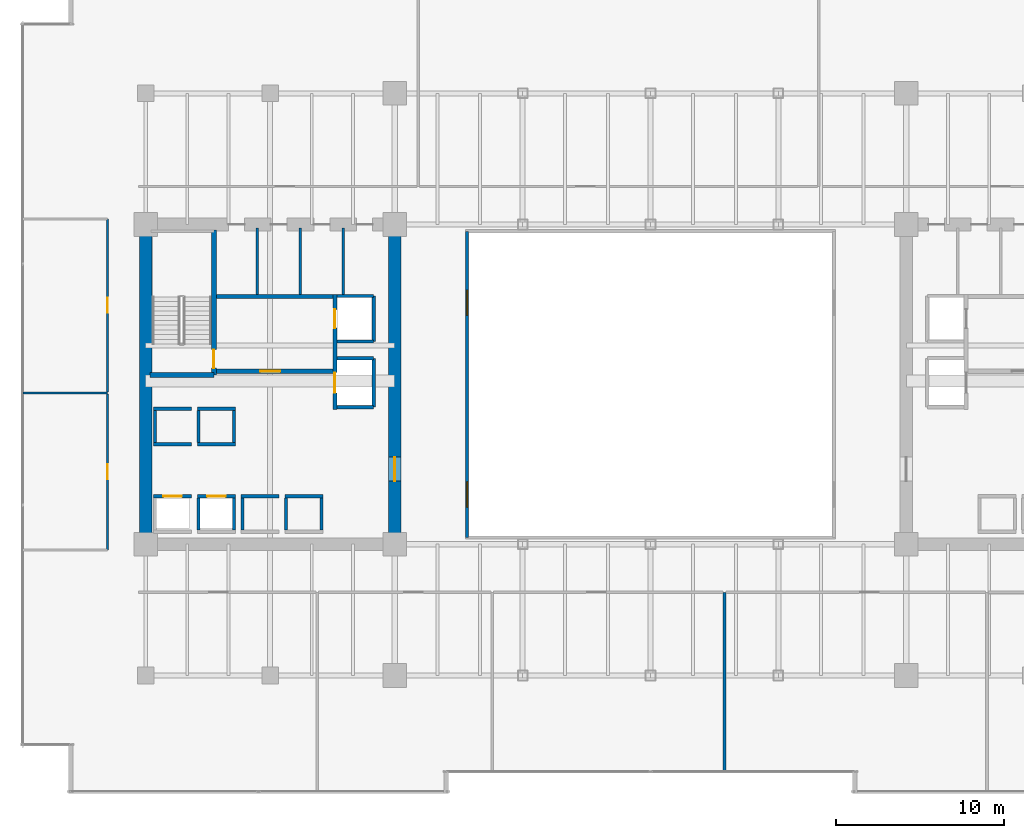
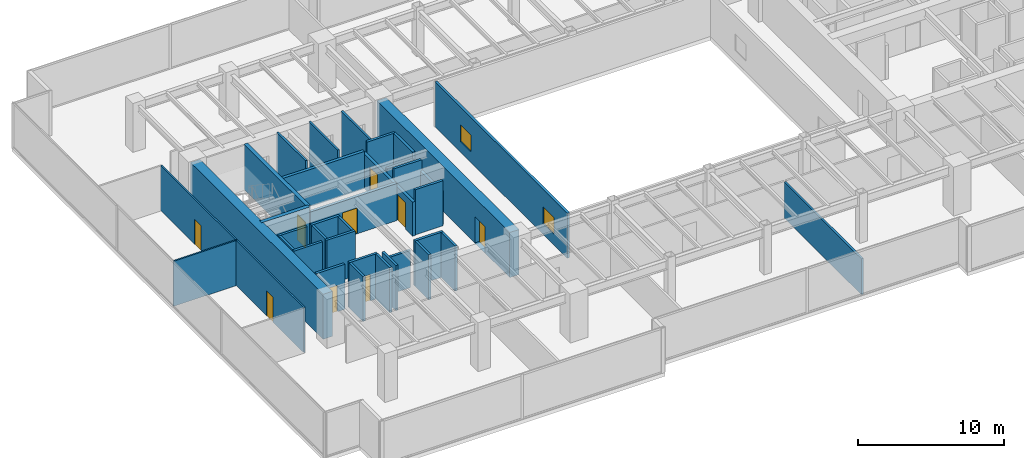
# One storey, part 29 of 35: 37 walls, 9 doors, 2 windows, 11 openings.
"""IFC4 building model written with IfcOpenShell, lengths in metres."""

from ifc_helpers import new_model, si_unit, direction, frame, frame_2d, origin, place, context, subcontext, project, spatial, rectangle, extrude, source, transform, mapped, material, layer, layer_set, type_object, type_shapes, element, fill, save


model = new_model("IFC4")

# Units and contexts
model_context = context("Model", 3, precision=1e-05, world=origin(), true_north=direction((0.0, 1.0)))
body_context = subcontext(model_context, "Body", "Model", "MODEL_VIEW")
ifc_project = project(units=[si_unit("LENGTHUNIT", "METRE"), si_unit("AREAUNIT", "SQUARE_METRE"), si_unit("VOLUMEUNIT", "CUBIC_METRE"), si_unit("PLANEANGLEUNIT", "RADIAN"), si_unit("MASSUNIT", "GRAM", prefix="KILO")], contexts=[model_context])

# Site, building, storey
site_placement = place(None, origin())
site = spatial("IfcSite", under=ifc_project, at=site_placement, CompositionType="ELEMENT")
building_placement = place(site_placement, origin())
building = spatial("IfcBuilding", under=site, at=building_placement, Name="Haelvirn Gate Laboratories", CompositionType="ELEMENT")
storey_placement = place(building_placement, frame((0.0, 0.0, 82.60009765625)))
storey = spatial("IfcBuildingStorey", under=building, at=storey_placement, Name="L20", CompositionType="ELEMENT", Elevation=82.60009765625)

# Wall
ifc_material_1 = material(Name="Double-layer acoustic gypsum laboratory partition", Category="gypsum")
ifc_layer_1 = layer(ifc_material_1, 0.159912109375, Name="IW-ACOUST-160")
ifc_layer_set_1 = layer_set([ifc_layer_1], Name="Double-layer acoustic gypsum laboratory partition")
wall_type_1 = type_object("IfcWallType", Name="IW-ACOUST-160", PredefinedType="PARTITIONING", material=ifc_layer_set_1)
wall_1_placement = place(storey_placement, frame((41.800048828125, 1.31005859375, 0.0), z_axis=(0.0, 0.0, 1.0), x_axis=(0.0, 1.0, 0.0)))
element("IfcWall", 1, at=wall_1_placement, inside=storey, type_object=wall_type_1, Name="L20 Interior Wall IW-L20-SDIV-03", PredefinedType="PARTITIONING", context=body_context, shape_type="SweptSolid", body=[
    extrude(rectangle(XDim=10.6298828125, YDim=0.159912109375, at=frame_2d((5.31494140625, 0.0))), origin(), (0.0, 0.0, 1.0), 3.014892578125),
])

# Wall, openings, windows
ifc_material_2 = material(Name="Tempered fire-rated borosilicate glass & anodised aluminium", Category="aluminium")
ifc_layer_2 = layer(ifc_material_2, 0.195068359375, Name="IW-GLAZ-200")
ifc_layer_set_2 = layer_set([ifc_layer_2], Name="Tempered fire-rated borosilicate glass & anodised aluminium")
wall_type_2 = type_object("IfcWallType", Name="IW-GLAZ-200", PredefinedType="SOLIDWALL", material=ifc_layer_set_2)
wall_2_placement = place(storey_placement, frame((26.5, 15.199951171875, 0.0), z_axis=(0.0, 0.0, 1.0), x_axis=(0.0, 1.0, 0.0)))
wall_2 = element("IfcWall", 2, at=wall_2_placement, inside=storey, type_object=wall_type_2, Name="L20 Interior Wall IW-L20-ATRIUM-W", PredefinedType="SOLIDWALL", context=body_context, shape_type="SweptSolid", body=[
    extrude(rectangle(XDim=18.199951171875, YDim=0.195068359375, at=frame_2d((9.10009765625, 0.0))), origin(), (0.0, 0.0, 1.0), 3.77978515625),
])
opening_1_placement = place(wall_2_placement, frame((1.800048828125, 0.0, 0.89990234375)))
opening_1 = element("IfcOpeningElement", 3, at=opening_1_placement, cuts=wall_2, Name="Opening W5", PredefinedType="OPENING", context=body_context, shape_type="SweptSolid", body=[
    extrude(rectangle(XDim=1.5, YDim=1.39990234375, at=frame_2d((0.75, 0.699951171875))), frame((0.0, 0.107421875, 0.0), z_axis=(0.0, -1.0, 0.0), x_axis=(1.0, 0.0, 0.0)), (0.0, 0.0, 1.0), 0.215087890625),
])
opening_2_placement = place(wall_2_placement, frame((13.199951171875, 0.0, 0.89990234375)))
opening_2 = element("IfcOpeningElement", 4, at=opening_2_placement, cuts=wall_2, Name="Opening W5", PredefinedType="OPENING", context=body_context, shape_type="SweptSolid", body=[
    extrude(rectangle(XDim=1.5, YDim=1.39990234375, at=frame_2d((0.75, 0.699951171875))), frame((0.0, 0.107421875, 0.0), z_axis=(0.0, -1.0, 0.0), x_axis=(1.0, 0.0, 0.0)), (0.0, 0.0, 1.0), 0.215087890625),
])
ifc_material_3 = material(Name="Fire-rated EI 120 borosilicate atrium vision glazing", Category="glass")
window_type = type_object("IfcWindowType", Name="WN-ATR-1500", PartitioningType="SINGLE_PANEL", PredefinedType="WINDOW", material=ifc_material_3)
shared_shape_1 = source(origin(), body_context, "Body", "SweptSolid", [
    extrude(rectangle(XDim=1.5, YDim=1.39990234375, at=frame_2d((0.75, 0.699951171875))), frame((0.0, 0.030029296875, 0.0), z_axis=(0.0, -1.0, 0.0), x_axis=(1.0, 0.0, 0.0)), (0.0, 0.0, 1.0), 0.06005859375),
])
type_shapes(window_type, [shared_shape_1])
window_1_placement = place(opening_1_placement, origin())
window_1 = element("IfcWindow", 5, at=window_1_placement, inside=storey, type_object=window_type, Name="L20 Atrium Observation Window 1", OverallHeight=1.39990234375, OverallWidth=1.5, PartitioningType="SINGLE_PANEL", PredefinedType="WINDOW", context=body_context, shape_type="MappedRepresentation", body=[
    mapped(shared_shape_1, transform((0.0, 0.0, 0.0), scale=1.0)),
])
fill(opening_1, window_1)
window_2_placement = place(opening_2_placement, origin())
window_2 = element("IfcWindow", 6, at=window_2_placement, inside=storey, type_object=window_type, Name="L20 Atrium Observation Window 2", OverallHeight=1.39990234375, OverallWidth=1.5, PartitioningType="SINGLE_PANEL", PredefinedType="WINDOW", context=body_context, shape_type="MappedRepresentation", body=[
    mapped(shared_shape_1, transform((0.0, 0.0, 0.0), scale=1.0)),
])
fill(opening_2, window_2)

# Wall, opening, door
ifc_material_4 = material(Name="Lightweight acoustic gypsum board partition", Category="gypsum")
ifc_layer_3 = layer(ifc_material_4, 0.1201171875, Name="IW-PART-120")
ifc_layer_set_3 = layer_set([ifc_layer_3], Name="Lightweight acoustic gypsum board partition")
wall_type_3 = type_object("IfcWallType", Name="IW-PART-120", PredefinedType="PARTITIONING", material=ifc_layer_set_3)
wall_3_placement = place(storey_placement, frame((5.1298828125, 14.465087890625, 0.0), z_axis=(0.0, 0.0, 1.0), x_axis=(0.0, 1.0, 0.0)))
wall_3 = element("IfcWall", 7, at=wall_3_placement, inside=storey, type_object=wall_type_3, Name="L20 Interior Wall IW-L20-WPASS-01", PredefinedType="PARTITIONING", context=body_context, shape_type="SweptSolid", body=[
    extrude(rectangle(XDim=9.27490234375, YDim=0.1201171875, at=frame_2d((4.637451171875, 0.0))), origin(), (0.0, 0.0, 1.0), 3.77978515625),
])
opening_3_placement = place(wall_3_placement, frame((4.1875, 0.0, 0.0)))
opening_3 = element("IfcOpeningElement", 8, at=opening_3_placement, cuts=wall_3, Name="Opening D4", PredefinedType="OPENING", context=body_context, shape_type="SweptSolid", body=[
    extrude(rectangle(XDim=0.89990234375, YDim=2.10009765625, at=frame_2d((0.449951171875, 1.050048828125))), frame((0.0, 0.070068359375, 0.0), z_axis=(0.0, -1.0, 0.0), x_axis=(1.0, 0.0, 0.0)), (0.0, 0.0, 1.0), 0.14013671875),
])
ifc_material_5 = material(Name="Glazed aluminium-framed write-up door", Category="aluminium")
door_type_1 = type_object("IfcDoorType", Name="DR-OFF-900", OperationType="NOTDEFINED", PredefinedType="DOOR", material=ifc_material_5)
shared_shape_2 = source(origin(), body_context, "Body", "SweptSolid", [
    extrude(rectangle(XDim=0.89990234375, YDim=2.10009765625, at=frame_2d((0.449951171875, 1.050048828125))), frame((0.0, 0.02490234375, 0.0), z_axis=(0.0, -1.0, 0.0), x_axis=(1.0, 0.0, 0.0)), (0.0, 0.0, 1.0), 0.050048828125),
])
type_shapes(door_type_1, [shared_shape_2])
door_1_placement = place(opening_3_placement, origin())
door_1 = element("IfcDoor", 9, at=door_1_placement, inside=storey, type_object=door_type_1, Name="L20 Proteomics Mass-Spec Laboratory Door W1", OperationType="SINGLE_SWING_LEFT", OverallHeight=2.10009765625, OverallWidth=0.89990234375, PredefinedType="DOOR", context=body_context, shape_type="MappedRepresentation", body=[
    mapped(shared_shape_2, transform((0.0, 0.0, 0.0), scale=1.0)),
])
fill(opening_3, door_1)

# Wall
wall_4_placement = place(storey_placement, frame((0.110107421875, 23.800048828125, 0.0), z_axis=(0.0, 0.0, 1.0), x_axis=(1.0, 0.0, 0.0)))
element("IfcWall", 10, at=wall_4_placement, inside=storey, type_object=wall_type_3, Name="L20 Interior Wall IW-L20-WDIV-01", PredefinedType="PARTITIONING", context=body_context, shape_type="SweptSolid", body=[
    extrude(rectangle(XDim=5.019775390625, YDim=0.1201171875, at=frame_2d((2.509765625, 0.0))), origin(), (0.0, 0.0, 1.0), 3.77978515625),
])

# Wall, opening, door
wall_5_placement = place(storey_placement, frame((5.1298828125, 23.860107421875, 0.0), z_axis=(0.0, 0.0, 1.0), x_axis=(0.0, 1.0, 0.0)))
wall_5 = element("IfcWall", 11, at=wall_5_placement, inside=storey, type_object=wall_type_3, Name="L20 Interior Wall IW-L20-WPASS-02", PredefinedType="PARTITIONING", context=body_context, shape_type="SweptSolid", body=[
    extrude(rectangle(XDim=10.27490234375, YDim=0.1201171875, at=frame_2d((5.137451171875, 0.0))), origin(), (0.0, 0.0, 1.0), 3.77978515625),
])
opening_4_placement = place(wall_5_placement, frame((4.6875, 0.0, 0.0)))
opening_4 = element("IfcOpeningElement", 12, at=opening_4_placement, cuts=wall_5, Name="Opening D4", PredefinedType="OPENING", context=body_context, shape_type="SweptSolid", body=[
    extrude(rectangle(XDim=0.89990234375, YDim=2.10009765625, at=frame_2d((0.449951171875, 1.050048828125))), frame((0.0, 0.070068359375, 0.0), z_axis=(0.0, -1.0, 0.0), x_axis=(1.0, 0.0, 0.0)), (0.0, 0.0, 1.0), 0.14013671875),
])
door_2_placement = place(opening_4_placement, origin())
door_2 = element("IfcDoor", 13, at=door_2_placement, inside=storey, type_object=door_type_1, Name="L20 Chemical Synthesis Laboratory Door W2", OperationType="SINGLE_SWING_RIGHT", OverallHeight=2.10009765625, OverallWidth=0.89990234375, PredefinedType="DOOR", context=body_context, shape_type="MappedRepresentation", body=[
    mapped(shared_shape_2, transform((0.0, 0.0, 0.0), scale=1.0)),
])
fill(opening_4, door_2)

# Walls
ifc_material_6 = material(Name="Cement-board restroom plumbing chase wall", Category="gypsum")
ifc_layer_4 = layer(ifc_material_6, 0.155029296875, Name="IW-PLUMB-160")
ifc_layer_set_4 = layer_set([ifc_layer_4], Name="Cement-board restroom plumbing chase wall")
wall_type_4 = type_object("IfcWallType", Name="IW-PLUMB-160", PredefinedType="PLUMBINGWALL", material=ifc_layer_set_4)
for number, where, z_axis, x_axis, name in (
    (14, (14.0400390625, 29.64990234375, 0.0), (0.0, 0.0, 1.0), (0.0, 1.0, 0.0), "L20 Interior Wall IW-L20-W-CDIV-1"),
    (15, (16.590087890625, 29.64990234375, 0.0), (0.0, 0.0, 1.0), (0.0, 1.0, 0.0), "L20 Interior Wall IW-L20-W-CDIV-2"),
    (16, (19.139892578125, 29.64990234375, 0.0), (0.0, 0.0, 1.0), (0.0, 1.0, 0.0), "L20 Interior Wall IW-L20-W-CDIV-3"),
):
    element("IfcWall", number, at=place(storey_placement, frame(where, z_axis=z_axis, x_axis=x_axis)), inside=storey, type_object=wall_type_4, Name=name, PredefinedType="PLUMBINGWALL", context=body_context, shape_type="SweptSolid", body=[
        extrude(rectangle(XDim=3.93017578125, YDim=0.155029296875, at=frame_2d((1.965087890625, 0.0))), origin(), (0.0, 0.0, 1.0), 3.77978515625),
    ])
ifc_material_7 = material(Name="Concrete C40/50", Category="concrete")
ifc_layer_5 = layer(ifc_material_7, 0.179931640625, Name="IW-SHAFT-180")
ifc_layer_set_5 = layer_set([ifc_layer_5], Name="Concrete C40/50")
wall_type_5 = type_object("IfcWallType", Name="IW-SHAFT-180", PredefinedType="SOLIDWALL", material=ifc_layer_set_5)
for number, where, z_axis, x_axis, name in (
    (17, (10.550048828125, 15.64990234375, 0.0), (0.0, 0.0, 1.0), (0.0, 1.0, 0.0), "L20 Interior Wall IW-L20-PL2-SD"),
    (18, (12.64990234375, 15.64990234375, 0.0), (0.0, 0.0, 1.0), (0.0, 1.0, 0.0), "L20 Interior Wall IW-L20-PL2-SDE"),
    (19, (13.14990234375, 15.64990234375, 0.0), (0.0, 0.0, 1.0), (0.0, 1.0, 0.0), "L20 Interior Wall IW-L20-PL5-SD"),
    (20, (15.75, 15.64990234375, 0.0), (0.0, 0.0, 1.0), (0.0, 1.0, 0.0), "L20 Interior Wall IW-L20-PL6-SD"),
    (21, (17.85009765625, 15.64990234375, 0.0), (0.0, 0.0, 1.0), (0.0, 1.0, 0.0), "L20 Interior Wall IW-L20-PL6-SDE"),
):
    element("IfcWall", number, at=place(storey_placement, frame(where, z_axis=z_axis, x_axis=x_axis)), inside=storey, type_object=wall_type_5, Name=name, PredefinedType="SOLIDWALL", context=body_context, shape_type="SweptSolid", body=[
        extrude(rectangle(XDim=1.900146484375, YDim=0.179931640625, at=frame_2d((0.9501953125, 0.0))), origin(), (0.0, 0.0, 1.0), 3.77978515625),
    ])
for number, where, z_axis, x_axis, name in (
    (22, (7.949951171875, 20.85009765625, 0.0), (0.0, 0.0, 1.0), (0.0, 1.0, 0.0), "L20 Interior Wall IW-L20-PL9-SD"),
    (23, (10.550048828125, 20.85009765625, 0.0), (0.0, 0.0, 1.0), (0.0, 1.0, 0.0), "L20 Interior Wall IW-L20-PL10-SD"),
    (24, (12.64990234375, 20.85009765625, 0.0), (0.0, 0.0, 1.0), (0.0, 1.0, 0.0), "L20 Interior Wall IW-L20-PL10-SDE"),
):
    element("IfcWall", number, at=place(storey_placement, frame(where, z_axis=z_axis, x_axis=x_axis)), inside=storey, type_object=wall_type_5, Name=name, PredefinedType="SOLIDWALL", context=body_context, shape_type="SweptSolid", body=[
        extrude(rectangle(XDim=1.89990234375, YDim=0.179931640625, at=frame_2d((0.949951171875, 0.0))), origin(), (0.0, 0.0, 1.0), 3.77978515625),
    ])

# Wall, opening, door
ifc_layer_6 = layer(ifc_material_7, 0.199951171875, Name="IW-SHAFT-200")
ifc_layer_set_6 = layer_set([ifc_layer_6], Name="Concrete C40/50")
wall_type_6 = type_object("IfcWallType", Name="IW-SHAFT-200", PredefinedType="SOLIDWALL", material=ifc_layer_set_6)
wall_6_placement = place(storey_placement, frame((7.8701171875, 17.64990234375, 0.0), z_axis=(0.0, 0.0, 1.0), x_axis=(1.0, 0.0, 0.0)))
wall_6 = element("IfcWall", 25, at=wall_6_placement, inside=storey, type_object=wall_type_6, Name="L20 Interior Wall IW-L20-PL1-FR", PredefinedType="SOLIDWALL", context=body_context, shape_type="SweptSolid", body=[
    extrude(rectangle(XDim=2.259765625, YDim=0.199951171875, at=frame_2d((1.1298828125, 0.0))), origin(), (0.0, 0.0, 1.0), 3.77978515625),
])
opening_5_placement = place(wall_6_placement, frame((0.580078125, 0.0, 0.0)))
opening_5 = element("IfcOpeningElement", 26, at=opening_5_placement, cuts=wall_6, Name="Opening LD2", PredefinedType="OPENING", context=body_context, shape_type="SweptSolid", body=[
    extrude(rectangle(XDim=1.10009765625, YDim=2.219970703125, at=frame_2d((0.550048828125, 1.10986328125))), frame((0.0, 0.10986328125, 0.0), z_axis=(0.0, -1.0, 0.0), x_axis=(1.0, 0.0, 0.0)), (0.0, 0.0, 1.0), 0.219970703125),
])
ifc_material_8 = material(Name="Bronze stainless 316L sliding lift landing door")
door_type_2 = type_object("IfcDoorType", Name="DR-LD-1100", OperationType="NOTDEFINED", PredefinedType="USERDEFINED", material=ifc_material_8)
shared_shape_3 = source(origin(), body_context, "Body", "SweptSolid", [
    extrude(rectangle(XDim=1.10009765625, YDim=2.219970703125, at=frame_2d((0.550048828125, 1.10986328125))), frame((0.0, 0.02490234375, 0.0), z_axis=(0.0, -1.0, 0.0), x_axis=(1.0, 0.0, 0.0)), (0.0, 0.0, 1.0), 0.050048828125),
])
type_shapes(door_type_2, [shared_shape_3])
door_3_placement = place(opening_5_placement, origin())
door_3 = element("IfcDoor", 27, at=door_3_placement, inside=storey, type_object=door_type_2, Name="L20 Passenger Lift PL1 Landing Door", ObjectType="LANDING_DOOR", OperationType="SLIDING_TO_LEFT", OverallHeight=2.219970703125, OverallWidth=1.10009765625, PredefinedType="USERDEFINED", context=body_context, shape_type="MappedRepresentation", body=[
    mapped(shared_shape_3, transform((0.0, 0.0, 0.0), scale=1.0)),
])
fill(opening_5, door_3)

wall_7_placement = place(storey_placement, frame((10.469970703125, 17.64990234375, 0.0), z_axis=(0.0, 0.0, 1.0), x_axis=(1.0, 0.0, 0.0)))
wall_7 = element("IfcWall", 28, at=wall_7_placement, inside=storey, type_object=wall_type_6, Name="L20 Interior Wall IW-L20-PL2-FR", PredefinedType="SOLIDWALL", context=body_context, shape_type="SweptSolid", body=[
    extrude(rectangle(XDim=2.260009765625, YDim=0.199951171875, at=frame_2d((1.1298828125, 0.0))), origin(), (0.0, 0.0, 1.0), 3.77978515625),
])
opening_6_placement = place(wall_7_placement, frame((0.580078125, 0.0, 0.0)))
opening_6 = element("IfcOpeningElement", 29, at=opening_6_placement, cuts=wall_7, Name="Opening LD2", PredefinedType="OPENING", context=body_context, shape_type="SweptSolid", body=[
    extrude(rectangle(XDim=1.10009765625, YDim=2.219970703125, at=frame_2d((0.550048828125, 1.10986328125))), frame((0.0, 0.10986328125, 0.0), z_axis=(0.0, -1.0, 0.0), x_axis=(1.0, 0.0, 0.0)), (0.0, 0.0, 1.0), 0.219970703125),
])
door_4_placement = place(opening_6_placement, origin())
door_4 = element("IfcDoor", 30, at=door_4_placement, inside=storey, type_object=door_type_2, Name="L20 Passenger Lift PL2 Landing Door", ObjectType="LANDING_DOOR", OperationType="SLIDING_TO_RIGHT", OverallHeight=2.219970703125, OverallWidth=1.10009765625, PredefinedType="USERDEFINED", context=body_context, shape_type="MappedRepresentation", body=[
    mapped(shared_shape_3, transform((0.0, 0.0, 0.0), scale=1.0)),
])
fill(opening_6, door_4)

# Walls
wall_8_placement = place(storey_placement, frame((13.070068359375, 17.64990234375, 0.0), z_axis=(0.0, 0.0, 1.0), x_axis=(1.0, 0.0, 0.0)))
element("IfcWall", 31, at=wall_8_placement, inside=storey, type_object=wall_type_6, Name="L20 Interior Wall IW-L20-PL5-FR", PredefinedType="SOLIDWALL", context=body_context, shape_type="SweptSolid", body=[
    extrude(rectangle(XDim=2.260009765625, YDim=0.199951171875, at=frame_2d((1.1298828125, 0.0))), origin(), (0.0, 0.0, 1.0), 3.114990234375),
])
wall_9_placement = place(storey_placement, frame((15.669921875, 17.64990234375, 0.0), z_axis=(0.0, 0.0, 1.0), x_axis=(1.0, 0.0, 0.0)))
element("IfcWall", 32, at=wall_9_placement, inside=storey, type_object=wall_type_6, Name="L20 Interior Wall IW-L20-PL6-FR", PredefinedType="SOLIDWALL", context=body_context, shape_type="SweptSolid", body=[
    extrude(rectangle(XDim=2.260009765625, YDim=0.199951171875, at=frame_2d((1.1298828125, 0.0))), origin(), (0.0, 0.0, 1.0), 3.77978515625),
])
for number, where, z_axis, x_axis, name in (
    (33, (7.8701171875, 20.75, 0.0), (0.0, 0.0, 1.0), (1.0, 0.0, 0.0), "L20 Interior Wall IW-L20-PL9-FR"),
    (34, (7.8701171875, 22.85009765625, 0.0), (0.0, 0.0, 1.0), (1.0, 0.0, 0.0), "L20 Interior Wall IW-L20-PL9-BK"),
):
    element("IfcWall", number, at=place(storey_placement, frame(where, z_axis=z_axis, x_axis=x_axis)), inside=storey, type_object=wall_type_6, Name=name, PredefinedType="SOLIDWALL", context=body_context, shape_type="SweptSolid", body=[
        extrude(rectangle(XDim=2.259765625, YDim=0.199951171875, at=frame_2d((1.1298828125, 0.0))), origin(), (0.0, 0.0, 1.0), 3.77978515625),
    ])
for number, where, z_axis, x_axis, name in (
    (35, (10.469970703125, 20.75, 0.0), (0.0, 0.0, 1.0), (1.0, 0.0, 0.0), "L20 Interior Wall IW-L20-PL10-FR"),
    (36, (10.469970703125, 22.85009765625, 0.0), (0.0, 0.0, 1.0), (1.0, 0.0, 0.0), "L20 Interior Wall IW-L20-PL10-BK"),
):
    element("IfcWall", number, at=place(storey_placement, frame(where, z_axis=z_axis, x_axis=x_axis)), inside=storey, type_object=wall_type_6, Name=name, PredefinedType="SOLIDWALL", context=body_context, shape_type="SweptSolid", body=[
        extrude(rectangle(XDim=2.260009765625, YDim=0.199951171875, at=frame_2d((1.1298828125, 0.0))), origin(), (0.0, 0.0, 1.0), 3.77978515625),
    ])
wall_10_placement = place(storey_placement, frame((20.949951171875, 26.85009765625, 0.0), z_axis=(0.0, 0.0, 1.0), x_axis=(0.0, 1.0, 0.0)))
element("IfcWall", 37, at=wall_10_placement, inside=storey, type_object=wall_type_6, Name="L20 Interior Wall IW-L20-FL1-BK", PredefinedType="SOLIDWALL", context=body_context, shape_type="SweptSolid", body=[
    extrude(rectangle(XDim=2.699951171875, YDim=0.199951171875, at=frame_2d((1.35009765625, 0.0))), origin(), (0.0, 0.0, 1.0), 3.77978515625),
])
wall_11_placement = place(storey_placement, frame((18.760009765625, 29.550048828125, 0.0), z_axis=(0.0, 0.0, 1.0), x_axis=(1.0, 0.0, 0.0)))
element("IfcWall", 38, at=wall_11_placement, inside=storey, type_object=wall_type_6, Name="L20 Interior Wall IW-L20-FL1-N", PredefinedType="SOLIDWALL", context=body_context, shape_type="SweptSolid", body=[
    extrude(rectangle(XDim=2.18994140625, YDim=0.199951171875, at=frame_2d((1.094970703125, 0.0))), origin(), (0.0, 0.0, 1.0), 3.77978515625),
])
wall_12_placement = place(storey_placement, frame((18.760009765625, 26.85009765625, 0.0), z_axis=(0.0, 0.0, 1.0), x_axis=(1.0, 0.0, 0.0)))
element("IfcWall", 39, at=wall_12_placement, inside=storey, type_object=wall_type_6, Name="L20 Interior Wall IW-L20-FL1-S", PredefinedType="SOLIDWALL", context=body_context, shape_type="SweptSolid", body=[
    extrude(rectangle(XDim=2.18994140625, YDim=0.199951171875, at=frame_2d((1.094970703125, 0.0))), origin(), (0.0, 0.0, 1.0), 3.177001953125),
])
wall_13_placement = place(storey_placement, frame((20.949951171875, 22.949951171875, 0.0), z_axis=(0.0, 0.0, 1.0), x_axis=(0.0, 1.0, 0.0)))
element("IfcWall", 40, at=wall_13_placement, inside=storey, type_object=wall_type_6, Name="L20 Interior Wall IW-L20-SL1-BK", PredefinedType="SOLIDWALL", context=body_context, shape_type="SweptSolid", body=[
    extrude(rectangle(XDim=2.900146484375, YDim=0.199951171875, at=frame_2d((1.4501953125, 0.0))), origin(), (0.0, 0.0, 1.0), 2.864990234375),
])
for number, where, z_axis, x_axis, name in (
    (41, (18.760009765625, 25.85009765625, 0.0), (0.0, 0.0, 1.0), (1.0, 0.0, 0.0), "L20 Interior Wall IW-L20-SL1-N"),
    (42, (18.760009765625, 22.949951171875, 0.0), (0.0, 0.0, 1.0), (1.0, 0.0, 0.0), "L20 Interior Wall IW-L20-SL1-S"),
):
    element("IfcWall", number, at=place(storey_placement, frame(where, z_axis=z_axis, x_axis=x_axis)), inside=storey, type_object=wall_type_6, Name=name, PredefinedType="SOLIDWALL", context=body_context, shape_type="SweptSolid", body=[
        extrude(rectangle(XDim=2.18994140625, YDim=0.199951171875, at=frame_2d((1.094970703125, 0.0))), origin(), (0.0, 0.0, 1.0), 3.77978515625),
    ])

# Wall, opening, door
ifc_layer_7 = layer(ifc_material_7, 0.239990234375, Name="IW-SHAFT-240")
ifc_layer_set_7 = layer_set([ifc_layer_7], Name="Concrete C40/50")
wall_type_7 = type_object("IfcWallType", Name="IW-SHAFT-240", PredefinedType="SOLIDWALL", material=ifc_layer_set_7)
wall_14_placement = place(storey_placement, frame((11.60009765625, 25.080078125, 0.0), z_axis=(0.0, 0.0, 1.0), x_axis=(1.0, 0.0, 0.0)))
wall_14 = element("IfcWall", 43, at=wall_14_placement, inside=storey, type_object=wall_type_7, Name="L20 Interior Wall IW-L20-W-FF-S", PredefinedType="SOLIDWALL", context=body_context, shape_type="SweptSolid", body=[
    extrude(rectangle(XDim=6.919921875, YDim=0.239990234375, at=frame_2d((3.4599609375, 0.0))), origin(), (0.0, 0.0, 1.0), 3.114990234375),
])
opening_7_placement = place(wall_14_placement, frame((2.60009765625, 0.0, 0.0)))
opening_7 = element("IfcOpeningElement", 44, at=opening_7_placement, cuts=wall_14, Name="Opening FD2", PredefinedType="OPENING", context=body_context, shape_type="SweptSolid", body=[
    extrude(rectangle(XDim=1.199951171875, YDim=2.159912109375, at=frame_2d((0.60009765625, 1.080078125))), frame((0.0, 0.1298828125, 0.0), z_axis=(0.0, -1.0, 0.0), x_axis=(1.0, 0.0, 0.0)), (0.0, 0.0, 1.0), 0.260009765625),
])
ifc_material_9 = material(Name="Fire-rated steel SM355 compartment door", Category="steel")
door_type_3 = type_object("IfcDoorType", Name="DR-FD-1200", OperationType="NOTDEFINED", PredefinedType="DOOR", material=ifc_material_9)
shared_shape_4 = source(origin(), body_context, "Body", "SweptSolid", [
    extrude(rectangle(XDim=1.199951171875, YDim=2.159912109375, at=frame_2d((0.60009765625, 1.080078125))), frame((0.0, 0.02490234375, 0.0), z_axis=(0.0, -1.0, 0.0), x_axis=(1.0, 0.0, 0.0)), (0.0, 0.0, 1.0), 0.050048828125),
])
type_shapes(door_type_3, [shared_shape_4])
door_5_placement = place(opening_7_placement, origin())
door_5 = element("IfcDoor", 45, at=door_5_placement, inside=storey, type_object=door_type_3, Name="L20 West Firefighting Lobby Door", OperationType="SINGLE_SWING_RIGHT", OverallHeight=2.159912109375, OverallWidth=1.199951171875, PredefinedType="DOOR", context=body_context, shape_type="MappedRepresentation", body=[
    mapped(shared_shape_4, transform((0.0, 0.0, 0.0), scale=1.0)),
])
fill(opening_7, door_5)

# Wall
wall_15_placement = place(storey_placement, frame((11.60009765625, 29.52001953125, 0.0), z_axis=(0.0, 0.0, 1.0), x_axis=(1.0, 0.0, 0.0)))
element("IfcWall", 46, at=wall_15_placement, inside=storey, type_object=wall_type_7, Name="L20 Interior Wall IW-L20-W-FF-N", PredefinedType="SOLIDWALL", context=body_context, shape_type="SweptSolid", body=[
    extrude(rectangle(XDim=6.919921875, YDim=0.239990234375, at=frame_2d((3.4599609375, 0.0))), origin(), (0.0, 0.0, 1.0), 3.114990234375),
])

# Wall, openings, doors
wall_16_placement = place(storey_placement, frame((18.639892578125, 22.800048828125, 0.0), z_axis=(0.0, 0.0, 1.0), x_axis=(0.0, 1.0, 0.0)))
wall_16 = element("IfcWall", 47, at=wall_16_placement, inside=storey, type_object=wall_type_7, Name="L20 Interior Wall IW-L20-W-FF-E", PredefinedType="SOLIDWALL", context=body_context, shape_type="SweptSolid", body=[
    extrude(rectangle(XDim=6.849853515625, YDim=0.239990234375, at=frame_2d((3.4248046875, 0.0))), origin(), (0.0, 0.0, 1.0), 2.864990234375),
])
opening_8_placement = place(wall_16_placement, frame((4.85009765625, 0.0, 0.0)))
opening_8 = element("IfcOpeningElement", 48, at=opening_8_placement, cuts=wall_16, Name="Opening LD2", PredefinedType="OPENING", context=body_context, shape_type="SweptSolid", body=[
    extrude(rectangle(XDim=1.10009765625, YDim=2.219970703125, at=frame_2d((0.550048828125, 1.10986328125))), frame((0.0, 0.1298828125, 0.0), z_axis=(0.0, -1.0, 0.0), x_axis=(1.0, 0.0, 0.0)), (0.0, 0.0, 1.0), 0.260009765625),
])
opening_9_placement = place(wall_16_placement, frame((1.0, 0.0, 0.0)))
opening_9 = element("IfcOpeningElement", 49, at=opening_9_placement, cuts=wall_16, Name="Opening LD1", PredefinedType="OPENING", context=body_context, shape_type="SweptSolid", body=[
    extrude(rectangle(XDim=1.199951171875, YDim=2.219970703125, at=frame_2d((0.60009765625, 1.10986328125))), frame((0.0, 0.1298828125, 0.0), z_axis=(0.0, -1.0, 0.0), x_axis=(1.0, 0.0, 0.0)), (0.0, 0.0, 1.0), 0.260009765625),
])
door_6_placement = place(opening_8_placement, origin())
door_6 = element("IfcDoor", 50, at=door_6_placement, inside=storey, type_object=door_type_2, Name="L20 Firefighting Lift FL1 Landing Door", ObjectType="LANDING_DOOR", OperationType="SLIDING_TO_LEFT", OverallHeight=2.219970703125, OverallWidth=1.10009765625, PredefinedType="USERDEFINED", context=body_context, shape_type="MappedRepresentation", body=[
    mapped(shared_shape_3, transform((0.0, 0.0, 0.0), scale=1.0)),
])
fill(opening_8, door_6)
ifc_material_10 = material(Name="Stainless steel 316L sliding goods landing door", Category="steel")
door_type_4 = type_object("IfcDoorType", Name="DR-LD-1200", OperationType="NOTDEFINED", PredefinedType="USERDEFINED", material=ifc_material_10)
shared_shape_5 = source(origin(), body_context, "Body", "SweptSolid", [
    extrude(rectangle(XDim=1.199951171875, YDim=2.219970703125, at=frame_2d((0.60009765625, 1.10986328125))), frame((0.0, 0.02490234375, 0.0), z_axis=(0.0, -1.0, 0.0), x_axis=(1.0, 0.0, 0.0)), (0.0, 0.0, 1.0), 0.050048828125),
])
type_shapes(door_type_4, [shared_shape_5])
door_7_placement = place(opening_9_placement, origin())
door_7 = element("IfcDoor", 51, at=door_7_placement, inside=storey, type_object=door_type_4, Name="L20 Service Lift SL1 Landing Door", ObjectType="LANDING_DOOR", OperationType="SLIDING_TO_RIGHT", OverallHeight=2.219970703125, OverallWidth=1.199951171875, PredefinedType="USERDEFINED", context=body_context, shape_type="MappedRepresentation", body=[
    mapped(shared_shape_5, transform((0.0, 0.0, 0.0), scale=1.0)),
])
fill(opening_9, door_7)

# Wall
ifc_material_11 = material(Name="Concrete C70/85", Category="concrete")
ifc_layer_8 = layer(ifc_material_11, 0.75, Name="SW-CORE-750")
ifc_layer_set_8 = layer_set([ifc_layer_8], Name="Concrete C70/85")
wall_type_8 = type_object("IfcWallType", Name="SW-CORE-750", PredefinedType="SHEAR", material=ifc_layer_set_8)
wall_17_placement = place(storey_placement, frame((7.39990234375, 15.175048828125, 0.0), z_axis=(0.0, 0.0, 1.0), x_axis=(0.0, 1.0, 0.0)))
element("IfcWall", 52, at=wall_17_placement, inside=storey, type_object=wall_type_8, Name="L20 W Core Shear Wall W", PredefinedType="SHEAR", context=body_context, shape_type="SweptSolid", body=[
    extrude(rectangle(XDim=18.25, YDim=0.75, at=frame_2d((9.125, 0.0))), origin(), (0.0, 0.0, 1.0), 3.77978515625),
])

# Wall, opening, door
wall_18_placement = place(storey_placement, frame((22.199951171875, 15.175048828125, 0.0), z_axis=(0.0, 0.0, 1.0), x_axis=(0.0, 1.0, 0.0)))
wall_18 = element("IfcWall", 53, at=wall_18_placement, inside=storey, type_object=wall_type_8, Name="L20 W Core Shear Wall E", PredefinedType="SHEAR", context=body_context, shape_type="SweptSolid", body=[
    extrude(rectangle(XDim=18.25, YDim=0.75, at=frame_2d((9.125, 0.0))), origin(), (0.0, 0.0, 1.0), 3.77978515625),
])
opening_10_placement = place(wall_18_placement, frame((3.375, 0.0, 0.0)))
opening_10 = element("IfcOpeningElement", 54, at=opening_10_placement, cuts=wall_18, Name="Opening FD1", PredefinedType="OPENING", context=body_context, shape_type="SweptSolid", body=[
    extrude(rectangle(XDim=1.419921875, YDim=2.199951171875, at=frame_2d((0.7099609375, 1.10009765625))), frame((0.0, 0.385009765625, 0.0), z_axis=(0.0, -1.0, 0.0), x_axis=(1.0, 0.0, 0.0)), (0.0, 0.0, 1.0), 0.77001953125),
])
ifc_material_12 = material(Name="Fire-rated double steel SM355 lobby door", Category="steel")
door_type_5 = type_object("IfcDoorType", Name="DR-FD-1400", OperationType="NOTDEFINED", PredefinedType="DOOR", material=ifc_material_12)
shared_shape_6 = source(origin(), body_context, "Body", "SweptSolid", [
    extrude(rectangle(XDim=1.419921875, YDim=2.199951171875, at=frame_2d((0.7099609375, 1.10009765625))), frame((0.0, 0.02490234375, 0.0), z_axis=(0.0, -1.0, 0.0), x_axis=(1.0, 0.0, 0.0)), (0.0, 0.0, 1.0), 0.050048828125),
])
type_shapes(door_type_5, [shared_shape_6])
door_8_placement = place(opening_10_placement, origin())
door_8 = element("IfcDoor", 55, at=door_8_placement, inside=storey, type_object=door_type_5, Name="L20 West Core Lift Lobby Fire Door", OperationType="DOUBLE_DOOR_SINGLE_SWING", OverallHeight=2.199951171875, OverallWidth=1.419921875, PredefinedType="DOOR", context=body_context, shape_type="MappedRepresentation", body=[
    mapped(shared_shape_6, transform((0.0, 0.0, 0.0), scale=1.0)),
])
fill(opening_10, door_8)

ifc_material_13 = material(Name="Concrete C50/60", Category="concrete")
ifc_layer_9 = layer(ifc_material_13, 0.300048828125, Name="SW-STAIR-300")
ifc_layer_set_9 = layer_set([ifc_layer_9], Name="Concrete C50/60")
wall_type_9 = type_object("IfcWallType", Name="SW-STAIR-300", PredefinedType="SHEAR", material=ifc_layer_set_9)
wall_19_placement = place(storey_placement, frame((11.449951171875, 24.85009765625, 0.0), z_axis=(0.0, 0.0, 1.0), x_axis=(0.0, 1.0, 0.0)))
wall_19 = element("IfcWall", 56, at=wall_19_placement, inside=storey, type_object=wall_type_9, Name="L20 W Core Stair Shaft Structural Wall IN", PredefinedType="SHEAR", context=body_context, shape_type="SweptSolid", body=[
    extrude(rectangle(XDim=8.6298828125, YDim=0.300048828125, at=frame_2d((4.31494140625, 0.0))), origin(), (0.0, 0.0, 1.0), 3.77978515625),
])
opening_11_placement = place(wall_19_placement, frame((0.419921875, 0.0, 0.0)))
opening_11 = element("IfcOpeningElement", 57, at=opening_11_placement, cuts=wall_19, Name="Opening FD3", PredefinedType="OPENING", context=body_context, shape_type="SweptSolid", body=[
    extrude(rectangle(XDim=1.10009765625, YDim=2.14990234375, at=frame_2d((0.550048828125, 1.074951171875))), frame((0.0, 0.16015625, 0.0), z_axis=(0.0, -1.0, 0.0), x_axis=(1.0, 0.0, 0.0)), (0.0, 0.0, 1.0), 0.320068359375),
])
ifc_material_14 = material(Name="Fire-rated steel SM355 escape stair door", Category="steel")
door_type_6 = type_object("IfcDoorType", Name="DR-FD-1100", OperationType="NOTDEFINED", PredefinedType="DOOR", material=ifc_material_14)
shared_shape_7 = source(origin(), body_context, "Body", "SweptSolid", [
    extrude(rectangle(XDim=1.10009765625, YDim=2.14990234375, at=frame_2d((0.550048828125, 1.074951171875))), frame((0.0, 0.02490234375, 0.0), z_axis=(0.0, -1.0, 0.0), x_axis=(1.0, 0.0, 0.0)), (0.0, 0.0, 1.0), 0.050048828125),
])
type_shapes(door_type_6, [shared_shape_7])
door_9_placement = place(opening_11_placement, origin())
door_9 = element("IfcDoor", 58, at=door_9_placement, inside=storey, type_object=door_type_6, Name="L20 Escape Stair ST1 Fire Door", OperationType="SINGLE_SWING_LEFT", OverallHeight=2.14990234375, OverallWidth=1.10009765625, PredefinedType="DOOR", context=body_context, shape_type="MappedRepresentation", body=[
    mapped(shared_shape_7, transform((0.0, 0.0, 0.0), scale=1.0)),
])
fill(opening_11, door_9)

# Wall
wall_20_placement = place(storey_placement, frame((7.64990234375, 24.85009765625, 0.0), z_axis=(0.0, 0.0, 1.0), x_axis=(1.0, 0.0, 0.0)))
element("IfcWall", 59, at=wall_20_placement, inside=storey, type_object=wall_type_9, Name="L20 W Core Stair Shaft Structural Wall S", PredefinedType="SHEAR", context=body_context, shape_type="SweptSolid", body=[
    extrude(rectangle(XDim=3.800048828125, YDim=0.300048828125, at=frame_2d((1.89990234375, 0.0))), origin(), (0.0, 0.0, 1.0), 3.77978515625),
])

save(model, "model.ifc")
